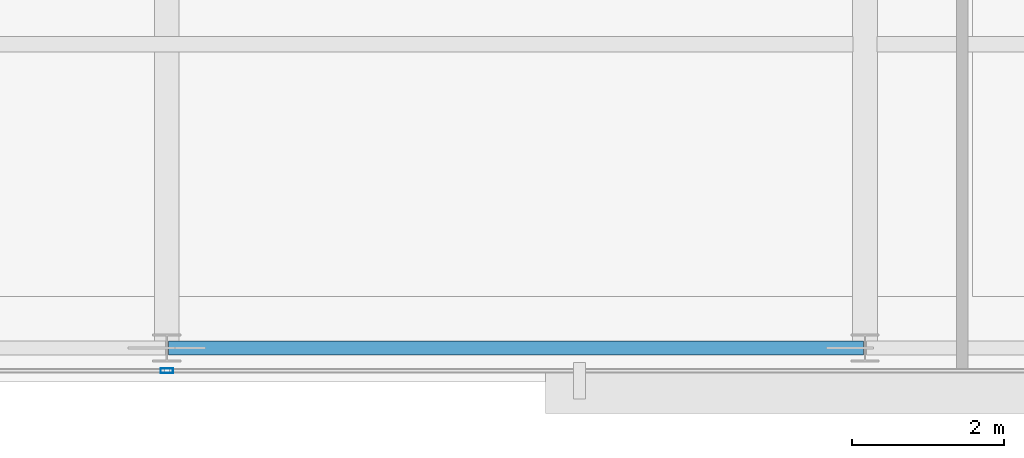
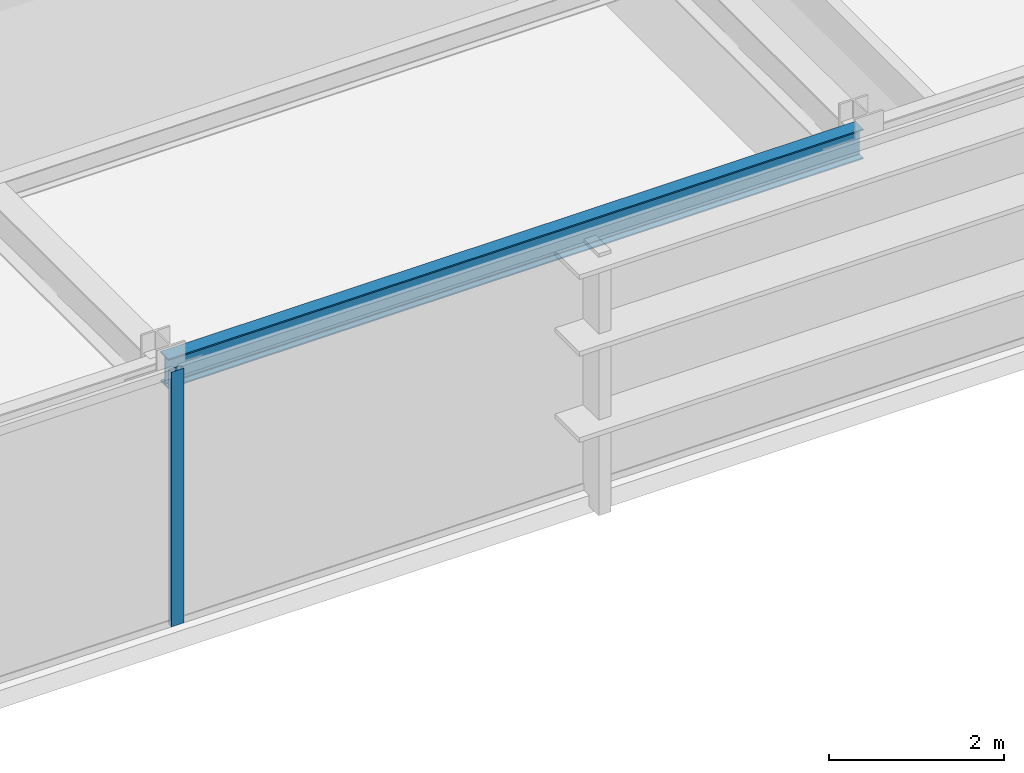
# One storey, part 9 of 29: 1 beam, 1 member, 1 element without a shape of its own.
"""IFC4 building model written with IfcOpenShell, lengths in metres."""

from ifc_helpers import new_model, si_unit, direction, frame, origin, origin_2d, place, context, subcontext, project, spatial, hollow_rectangle, i_section, extrude, source, transform, mapped, material, layer, layer_set, material_profile, profile_set, type_object, type_shapes, element, aggregate, save


model = new_model("IFC4")

# Units and contexts
model_context = context("Model", 3, precision=1e-05, world=origin(), true_north=direction((0.0, 1.0)))
body_context = subcontext(model_context, "Body", "Model", "MODEL_VIEW")
ifc_project = project(units=[si_unit("LENGTHUNIT", "METRE"), si_unit("AREAUNIT", "SQUARE_METRE"), si_unit("VOLUMEUNIT", "CUBIC_METRE"), si_unit("PLANEANGLEUNIT", "RADIAN"), si_unit("MASSUNIT", "GRAM", prefix="KILO")], contexts=[model_context])

# Site, building, storey
site_placement = place(None, origin())
site = spatial("IfcSite", under=ifc_project, at=site_placement, CompositionType="ELEMENT")
building_placement = place(site_placement, origin())
building = spatial("IfcBuilding", under=site, at=building_placement, Name="Varnel Quay Broadcast Tower", CompositionType="ELEMENT")
storey_placement = place(building_placement, frame((0.0, 0.0, 172.39990234375)))
storey = spatial("IfcBuildingStorey", under=building, at=storey_placement, Name="L42", CompositionType="ELEMENT", Elevation=172.39990234375)

# Beam
ifc_material_1 = material(Name="Structural Steel CSA G40.21 350W", Category="steel")
ifc_material_profile_1 = material_profile(ifc_material_1, i_section(OverallWidth=0.180908203125, OverallDepth=0.4169921875, WebThickness=0.010986328125, FlangeThickness=0.018310546875, FilletRadius=0.011962890625, at=origin_2d()), Name="W410X85")
ifc_profile_set_1 = profile_set([ifc_material_profile_1], Name="Structural Steel CSA G40.21 350W")
beam_type = type_object("IfcBeamType", Name="Beam_W410X85", PredefinedType="SPANDREL", material=ifc_profile_set_1)
shared_shape_1 = source(origin(), body_context, "Body", "SweptSolid", [
    extrude(i_section(OverallWidth=0.180908203125, OverallDepth=0.4169921875, WebThickness=0.010986328125, FlangeThickness=0.018310546875, FilletRadius=0.011962890625, at=origin_2d()), origin(), (0.0, 0.0, 1.0), 9.159912109375),
])
type_shapes(beam_type, [shared_shape_1])
beam_placement = place(storey_placement, frame((34.02001953125, 7.64990234375, 3.341552734375), z_axis=(1.0, 0.0, 0.0), x_axis=(0.0, 1.0, 0.0)))
element("IfcBeam", 1, at=beam_placement, inside=storey, type_object=beam_type, Name="L42 South Spandrel TC-S3-TC-S4", PredefinedType="SPANDREL", context=body_context, shape_type="MappedRepresentation", body=[
    mapped(shared_shape_1, transform((0.0, 0.0, 0.0), x_axis=(1.0, 0.0, 0.0), y_axis=(0.0, 1.0, 0.0), z_axis=(0.0, 0.0, 1.0), scale=1.0)),
])

# Curtain wall, member
ifc_material_2 = material(Name="Anodised Bronze Aluminium 6063-T6", Category="aluminium")
ifc_layer = layer(ifc_material_2, 0.18994140625, Name="Anodised Bronze Aluminium 6063-T6")
ifc_layer_set = layer_set([ifc_layer], Name="Anodised Bronze Aluminium 6063-T6")
curtain_wall_type = type_object("IfcCurtainWallType", Name="CW_UpperTower", PredefinedType="NOTDEFINED", material=ifc_layer_set)
curtain_wall_placement = place(storey_placement, origin())
curtain_wall = element("IfcCurtainWall", 2, at=curtain_wall_placement, inside=storey, type_object=curtain_wall_type, Name="L42 South Unitised Curtain Wall 1", PredefinedType="NOTDEFINED")
ifc_material_profile_2 = material_profile(ifc_material_2, hollow_rectangle(XDim=0.06494140625, YDim=0.1650390625, WallThickness=0.00341796875, at=origin_2d()), Name="ALU65X165X3.5")
ifc_profile_set_2 = profile_set([ifc_material_profile_2], Name="Anodised Bronze Aluminium 6063-T6")
member_type = type_object("IfcMemberType", Name="Mull_CWS-03", PredefinedType="MULLION", material=ifc_profile_set_2)
shared_shape_2 = source(origin(), body_context, "Body", "SweptSolid", [
    extrude(hollow_rectangle(XDim=0.06494140625, YDim=0.1650390625, WallThickness=0.00341796875, at=origin_2d()), origin(), (0.0, 0.0, 1.0), 3.550048828125),
])
type_shapes(member_type, [shared_shape_2])
member_placement = place(storey_placement, frame((34.0, 7.35009765625, 0.0), z_axis=(0.0, 0.0, 1.0), x_axis=(0.0, 1.0, 0.0)))
member = element("IfcMember", 3, at=member_placement, type_object=member_type, Name="CWS-03 mullion 3", PredefinedType="MULLION", context=body_context, shape_type="MappedRepresentation", body=[
    mapped(shared_shape_2, transform((0.0, 0.0, 0.0), x_axis=(1.0, 0.0, 0.0), y_axis=(0.0, 1.0, 0.0), z_axis=(0.0, 0.0, 1.0), scale=1.0)),
])
aggregate(curtain_wall, [member])

save(model, "model.ifc")
